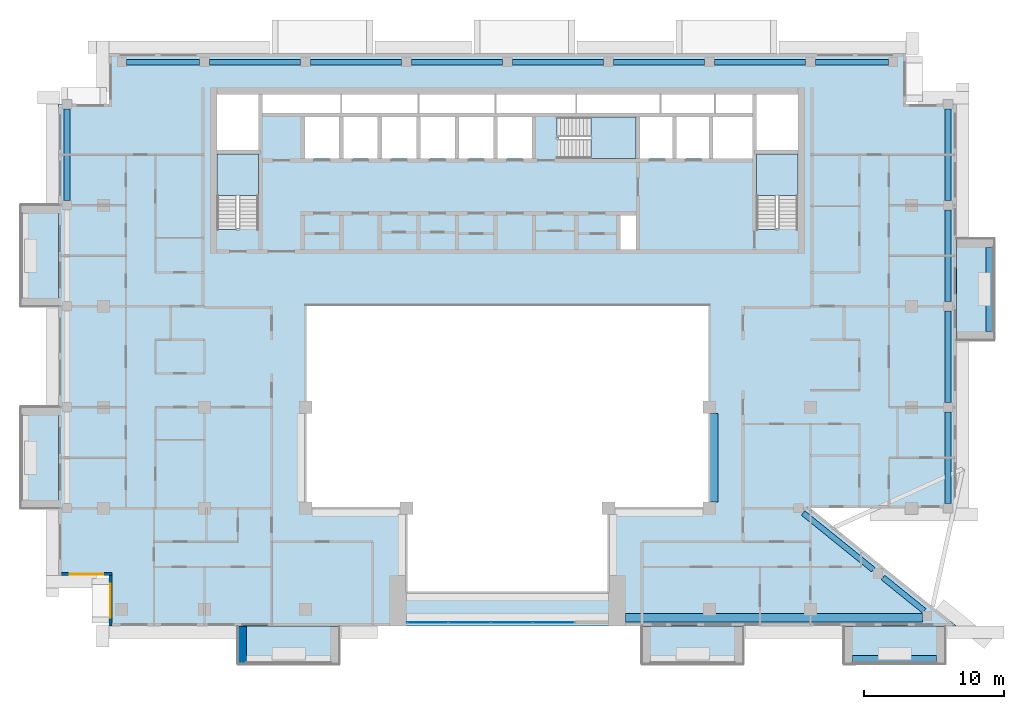
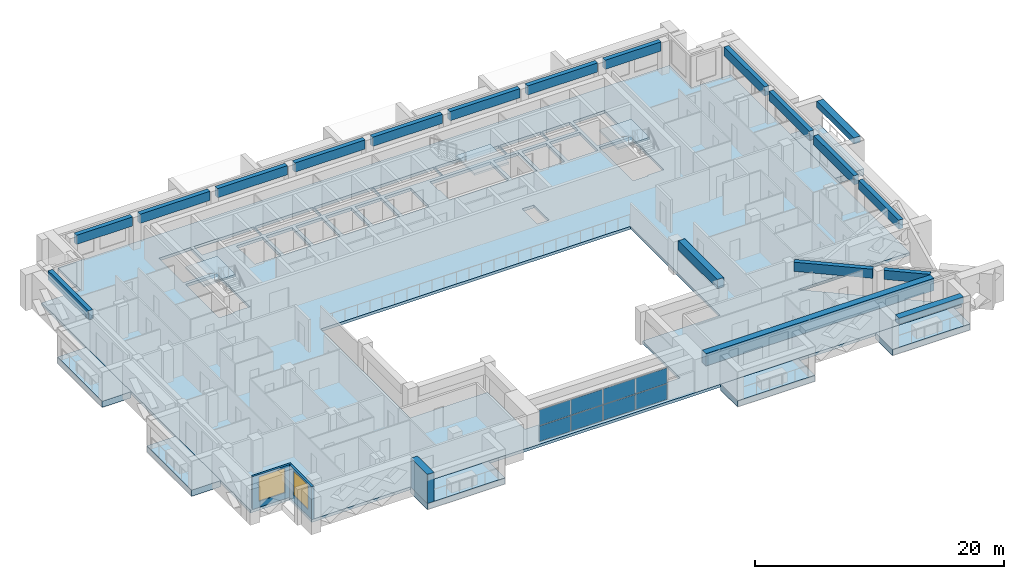
# One storey, part 5 of 19: 19 beams, 10 slabs, 8 plates, 3 walls, 2 windows, 2 openings, 4 elements without a shape of their own.
"""IFC4 building model written with IfcOpenShell, lengths in metres."""

from ifc_helpers import new_model, si_unit, direction, frame, frame_2d, origin, origin_2d, place, context, subcontext, project, spatial, polyline, rectangle, outline, extrude, source, transform, mapped, material, layer, layer_set, material_profile, profile_set, type_object, element, fill, aggregate, save


model = new_model("IFC4")

# Units and contexts
model_context = context("Model", 3, precision=1e-05, world=origin(), true_north=direction((0.0, 1.0)))
body_context = subcontext(model_context, "Body", "Model", "MODEL_VIEW")
ifc_project = project(units=[si_unit("LENGTHUNIT", "METRE"), si_unit("AREAUNIT", "SQUARE_METRE"), si_unit("VOLUMEUNIT", "CUBIC_METRE"), si_unit("PLANEANGLEUNIT", "RADIAN"), si_unit("MASSUNIT", "GRAM", prefix="KILO")], contexts=[model_context])

# Site, building, storey
site_placement = place(None, origin())
site = spatial("IfcSite", under=ifc_project, at=site_placement, CompositionType="ELEMENT")
building_placement = place(site_placement, origin())
building = spatial("IfcBuilding", under=site, at=building_placement, Name="Saffron Iwan Residences", CompositionType="ELEMENT")
storey_placement = place(building_placement, frame((0.0, 0.0, 225.5)))
storey = spatial("IfcBuildingStorey", under=building, at=storey_placement, Name="L60", CompositionType="ELEMENT", Elevation=225.5)

# Beams
ifc_material_1 = material(Name="Concrete C40/50", Category="concrete")
ifc_material_profile_1 = material_profile(ifc_material_1, rectangle(XDim=0.39990234375, YDim=0.89990234375, at=origin_2d()), Name="RC 400x900")
ifc_profile_set_1 = profile_set([ifc_material_profile_1], Name="Concrete C40/50")
beam_type_1 = type_object("IfcBeamType", Name="SPANDREL BEAM RC 400x900 C40/50 TOP 3220", PredefinedType="SPANDREL", material=ifc_profile_set_1)
shared_shape_1 = source(origin(), body_context, "Body", "SweptSolid", [
    extrude(rectangle(XDim=0.39990234375, YDim=0.89990234375, at=origin_2d()), origin(), (0.0, 0.0, 1.0), 3.767578125),
])
beam_1_placement = place(storey_placement, frame((77.173095703125, 43.050537109375, 2.77001953125), z_axis=(0.777920469401, -0.62836274817, 0.0), x_axis=(0.62836274817, 0.777920469401, 0.0)))
element("IfcBeam", 1, at=beam_1_placement, inside=storey, type_object=beam_type_1, Name="Spandrel beam", PredefinedType="SPANDREL", context=body_context, shape_type="MappedRepresentation", body=[
    mapped(shared_shape_1, transform((0.0, 0.0, 0.0))),
])
shared_shape_2 = source(origin(), body_context, "Body", "SweptSolid", [
    extrude(rectangle(XDim=0.39990234375, YDim=0.89990234375, at=origin_2d()), origin(), (0.0, 0.0, 1.0), 6.419921875),
])
beam_2_placement = place(storey_placement, frame((71.478515625, 47.64990234375, 2.77001953125), z_axis=(0.777940465262, -0.628337992253, 0.0), x_axis=(0.628337992253, 0.777940465262, 0.0)))
element("IfcBeam", 2, at=beam_2_placement, inside=storey, type_object=beam_type_1, Name="Spandrel beam", PredefinedType="SPANDREL", context=body_context, shape_type="MappedRepresentation", body=[
    mapped(shared_shape_2, transform((0.0, 0.0, 0.0))),
])
shared_shape_3 = source(origin(), body_context, "Body", "SweptSolid", [
    extrude(rectangle(XDim=0.39990234375, YDim=0.89990234375, at=origin_2d()), origin(), (0.0, 0.0, 1.0), 6.5),
])
for number, where, z_axis, x_axis, name in (
    (3, (81.800048828125, 54.85009765625, 2.77001953125), (0.0, -1.0, 0.0), (1.0, 0.0, 0.0), "Spandrel beam"),
    (4, (81.800048828125, 62.050048828125, 2.77001953125), (0.0, -1.0, 0.0), (1.0, 0.0, 0.0), "Spandrel beam"),
    (5, (81.800048828125, 69.25, 2.77001953125), (0.0, -1.0, 0.0), (1.0, 0.0, 0.0), "Spandrel beam"),
    (6, (19.0, 69.949951171875, 2.77001953125), (0.0, 1.0, 0.0), (-1.0, 0.0, 0.0), "Spandrel beam"),
    (7, (81.800048828125, 76.449951171875, 2.77001953125), (0.0, -1.0, 0.0), (1.0, 0.0, 0.0), "Spandrel beam"),
    (8, (29.14990234375, 79.800048828125, 2.77001953125), (1.0, 0.0, 0.0), (0.0, 1.0, 0.0), "Spandrel beam"),
    (9, (36.35009765625, 79.800048828125, 2.77001953125), (1.0, 0.0, 0.0), (0.0, 1.0, 0.0), "Spandrel beam"),
    (10, (43.550048828125, 79.800048828125, 2.77001953125), (1.0, 0.0, 0.0), (0.0, 1.0, 0.0), "Spandrel beam"),
    (11, (50.75, 79.800048828125, 2.77001953125), (1.0, 0.0, 0.0), (0.0, 1.0, 0.0), "Spandrel beam"),
    (12, (57.949951171875, 79.800048828125, 2.77001953125), (1.0, 0.0, 0.0), (0.0, 1.0, 0.0), "Spandrel beam"),
    (13, (65.14990234375, 79.800048828125, 2.77001953125), (1.0, 0.0, 0.0), (0.0, 1.0, 0.0), "Spandrel beam"),
):
    element("IfcBeam", number, at=place(storey_placement, frame(where, z_axis=z_axis, x_axis=x_axis)), inside=storey, type_object=beam_type_1, Name=name, PredefinedType="SPANDREL", context=body_context, shape_type="MappedRepresentation", body=[
        mapped(shared_shape_3, transform((0.0, 0.0, 0.0))),
    ])
shared_shape_4 = source(origin(), body_context, "Body", "SweptSolid", [
    extrude(rectangle(XDim=0.39990234375, YDim=0.89990234375, at=origin_2d()), origin(), (0.0, 0.0, 1.0), 5.199951171875),
])
for number, where, z_axis, x_axis, name in (
    (14, (23.25, 79.800048828125, 2.77001953125), (1.0, 0.0, 0.0), (0.0, 1.0, 0.0), "Spandrel beam"),
    (15, (72.35009765625, 79.800048828125, 2.77001953125), (1.0, 0.0, 0.0), (0.0, 1.0, 0.0), "Spandrel beam"),
):
    element("IfcBeam", number, at=place(storey_placement, frame(where, z_axis=z_axis, x_axis=x_axis)), inside=storey, type_object=beam_type_1, Name=name, PredefinedType="SPANDREL", context=body_context, shape_type="MappedRepresentation", body=[
        mapped(shared_shape_4, transform((0.0, 0.0, 0.0))),
    ])
ifc_material_profile_2 = material_profile(ifc_material_1, rectangle(XDim=0.60009765625, YDim=1.199951171875, at=origin_2d()), Name="RC 600x1200")
ifc_profile_set_2 = profile_set([ifc_material_profile_2], Name="Concrete C40/50")
beam_type_2 = type_object("IfcBeamType", Name="LINTEL BEAM RC 600x1200 C40/50 TOP 3220", PredefinedType="LINTEL", material=ifc_profile_set_2)
shared_shape_5 = source(origin(), body_context, "Body", "SweptSolid", [
    extrude(rectangle(XDim=0.60009765625, YDim=1.199951171875, at=origin_2d()), origin(), (0.0, 0.0, 1.0), 21.175537109375),
])
beam_3_placement = place(storey_placement, frame((79.9755859375, 40.199951171875, 2.6201171875), z_axis=(-1.0, 0.0, 0.0), x_axis=(0.0, -1.0, 0.0)))
element("IfcBeam", 16, at=beam_3_placement, inside=storey, type_object=beam_type_2, Name="Lintel beam over the iwan", PredefinedType="LINTEL", context=body_context, shape_type="MappedRepresentation", body=[
    mapped(shared_shape_5, transform((0.0, 0.0, 0.0))),
])
ifc_material_profile_3 = material_profile(ifc_material_1, rectangle(XDim=0.60009765625, YDim=0.89990234375, at=origin_2d()), Name="RC 600x900")
ifc_profile_set_3 = profile_set([ifc_material_profile_3], Name="Concrete C40/50")
beam_type_3 = type_object("IfcBeamType", Name="BEAM RC 600x900 C40/50 TOP 3220", PredefinedType="BEAM", material=ifc_profile_set_3)
shared_shape_6 = source(origin(), body_context, "Body", "SweptSolid", [
    extrude(rectangle(XDim=0.60009765625, YDim=0.89990234375, at=origin_2d()), origin(), (0.0, 0.0, 1.0), 6.300048828125),
])
beam_4_placement = place(storey_placement, frame((65.10009765625, 54.75, 2.77001953125), z_axis=(0.0, -1.0, 0.0), x_axis=(1.0, 0.0, 0.0)))
element("IfcBeam", 17, at=beam_4_placement, inside=storey, type_object=beam_type_3, Name="Atrium edge beam", PredefinedType="BEAM", context=body_context, shape_type="MappedRepresentation", body=[
    mapped(shared_shape_6, transform((0.0, 0.0, 0.0))),
])
ifc_material_2 = material(Name="Concrete C50/60 white painted", Category="concrete")
ifc_material_profile_4 = material_profile(ifc_material_2, rectangle(XDim=0.60009765625, YDim=0.60009765625, at=origin_2d()), Name="BALCONY FASCIA BEAM 600 x 600")
ifc_profile_set_4 = profile_set([ifc_material_profile_4], Name="Concrete C50/60 white painted")
beam_type_4 = type_object("IfcBeamType", Name="BALCONY FASCIA BEAM 600 x 600", PredefinedType="BEAM", material=ifc_profile_set_4)
shared_shape_7 = source(origin(), body_context, "Body", "SweptSolid", [
    extrude(rectangle(XDim=0.60009765625, YDim=0.60009765625, at=origin_2d()), origin(), (0.0, 0.0, 1.0), 6.0),
])
for number, where, z_axis, x_axis, name in (
    (18, (84.800048828125, 60.60009765625, 2.550048828125), (0.0, 1.0, 0.0), (-1.0, 0.0, 0.0), "Balcony fascia beam L60 F2-0"),
    (19, (75.0, 37.199951171875, 2.550048828125), (1.0, 0.0, 0.0), (0.0, 1.0, 0.0), "Balcony fascia beam L60 11-2"),
):
    element("IfcBeam", number, at=place(storey_placement, frame(where, z_axis=z_axis, x_axis=x_axis)), inside=storey, type_object=beam_type_4, Name=name, PredefinedType="BEAM", context=body_context, shape_type="MappedRepresentation", body=[
        mapped(shared_shape_7, transform((0.0, 0.0, 0.0))),
    ])

# Slabs
ifc_layer_1 = layer(ifc_material_2, 0.60009765625)
ifc_layer_set_1 = layer_set([ifc_layer_1], Name="Concrete C50/60 white painted")
slab_type_1 = type_object("IfcSlabType", Name="BALCONY FRAME SLAB 600", PredefinedType="FLOOR", material=ifc_layer_set_1)
slab_1_placement = place(storey_placement, frame((0.0, 0.0, -0.60009765625)))
element("IfcSlab", 20, at=slab_1_placement, inside=storey, type_object=slab_type_1, Name="Balcony frame slab L60 F2-0", PredefinedType="FLOOR", context=body_context, shape_type="SweptSolid", body=[
    extrude(outline(polyline([(85.10009765625, 60.0), (85.10009765625, 67.199951171875), (82.39990234375, 67.199951171875), (82.39990234375, 60.0), (85.10009765625, 60.0)])), origin(), (0.0, 0.0, 1.0), 0.60009765625),
])
slab_2_placement = place(storey_placement, frame((0.0, 0.0, -0.60009765625)))
element("IfcSlab", 21, at=slab_2_placement, inside=storey, type_object=slab_type_1, Name="Balcony frame slab L60 F8-0", PredefinedType="FLOOR", context=body_context, shape_type="SweptSolid", body=[
    extrude(outline(polyline([(15.699951171875, 69.60009765625), (15.699951171875, 62.39990234375), (18.39990234375, 62.39990234375), (18.39990234375, 69.60009765625), (15.699951171875, 69.60009765625)])), origin(), (0.0, 0.0, 1.0), 0.60009765625),
])
slab_3_placement = place(storey_placement, frame((0.0, 0.0, -0.60009765625)))
element("IfcSlab", 22, at=slab_3_placement, inside=storey, type_object=slab_type_1, Name="Balcony frame slab L60 F8-1", PredefinedType="FLOOR", context=body_context, shape_type="SweptSolid", body=[
    extrude(outline(polyline([(15.699951171875, 55.199951171875), (15.699951171875, 48.0), (18.39990234375, 48.0), (18.39990234375, 55.199951171875), (15.699951171875, 55.199951171875)])), origin(), (0.0, 0.0, 1.0), 0.60009765625),
])
slab_4_placement = place(storey_placement, frame((0.0, 0.0, -0.60009765625)))
element("IfcSlab", 23, at=slab_4_placement, inside=storey, type_object=slab_type_1, Name="Balcony frame slab L60 11-0", PredefinedType="FLOOR", context=body_context, shape_type="SweptSolid", body=[
    extrude(outline(polyline([(31.199951171875, 36.89990234375), (38.39990234375, 36.89990234375), (38.39990234375, 39.60009765625), (31.199951171875, 39.60009765625), (31.199951171875, 36.89990234375)])), origin(), (0.0, 0.0, 1.0), 0.60009765625),
])
slab_5_placement = place(storey_placement, frame((0.0, 0.0, -0.60009765625)))
element("IfcSlab", 24, at=slab_5_placement, inside=storey, type_object=slab_type_1, Name="Balcony frame slab L60 11-1", PredefinedType="FLOOR", context=body_context, shape_type="SweptSolid", body=[
    extrude(outline(polyline([(60.0, 36.89990234375), (67.199951171875, 36.89990234375), (67.199951171875, 39.60009765625), (60.0, 39.60009765625), (60.0, 36.89990234375)])), origin(), (0.0, 0.0, 1.0), 0.60009765625),
])
slab_6_placement = place(storey_placement, frame((0.0, 0.0, -0.60009765625)))
element("IfcSlab", 25, at=slab_6_placement, inside=storey, type_object=slab_type_1, Name="Balcony frame slab L60 11-2", PredefinedType="FLOOR", context=body_context, shape_type="SweptSolid", body=[
    extrude(outline(polyline([(74.39990234375, 36.89990234375), (81.60009765625, 36.89990234375), (81.60009765625, 39.60009765625), (74.39990234375, 39.60009765625), (74.39990234375, 36.89990234375)])), origin(), (0.0, 0.0, 1.0), 0.60009765625),
])
ifc_layer_2 = layer(ifc_material_1, 0.280029296875)
ifc_layer_set_2 = layer_set([ifc_layer_2], Name="Concrete C40/50")
slab_type_2 = type_object("IfcSlabType", Name="PT PLATE 280 C40/50", PredefinedType="FLOOR", material=ifc_layer_set_2)
slab_7_placement = place(storey_placement, frame((0.0, 0.0, -0.280029296875)))
element("IfcSlab", 26, at=slab_7_placement, inside=storey, type_object=slab_type_2, Name="Floor slab L60", PredefinedType="FLOOR", context=body_context, shape_type="SweptSolid", body=[
    extrude(outline(polyline([(18.39990234375, 43.199951171875), (18.39990234375, 76.800048828125), (22.0, 76.800048828125), (22.0, 80.39990234375), (78.800048828125, 80.39990234375), (78.800048828125, 76.800048828125), (82.39990234375, 76.800048828125), (82.39990234375, 48.0), (72.0, 48.0), (82.39990234375, 39.60009765625), (22.0, 39.60009765625), (22.0, 43.199951171875), (18.39990234375, 43.199951171875)]), holes=[polyline([(64.800048828125, 48.0), (64.800048828125, 62.39990234375), (36.0, 62.39990234375), (36.0, 48.0), (43.199951171875, 48.0), (43.199951171875, 42.0), (57.60009765625, 42.0), (57.60009765625, 48.0), (64.800048828125, 48.0)]), polyline([(29.699951171875, 73.25), (29.699951171875, 67.949951171875), (29.699951171875, 67.8505859375), (31.10009765625, 67.8505859375), (31.10009765625, 67.949951171875), (32.64990234375, 67.949951171875), (32.64990234375, 73.25), (29.699951171875, 73.25)]), polyline([(38.39990234375, 75.875), (35.949951171875, 75.875), (35.949951171875, 72.925048828125), (38.39990234375, 72.925048828125), (38.39990234375, 75.875)]), polyline([(41.14990234375, 75.875), (38.699951171875, 75.875), (38.699951171875, 72.925048828125), (41.14990234375, 72.925048828125), (41.14990234375, 75.875)]), polyline([(43.89990234375, 72.925048828125), (43.89990234375, 75.875), (41.449951171875, 75.875), (41.449951171875, 72.925048828125), (43.89990234375, 72.925048828125)]), polyline([(46.64990234375, 72.925048828125), (46.64990234375, 75.875), (44.199951171875, 75.875), (44.199951171875, 72.925048828125), (46.64990234375, 72.925048828125)]), polyline([(49.39990234375, 75.875), (46.949951171875, 75.875), (46.949951171875, 72.925048828125), (49.39990234375, 72.925048828125), (49.39990234375, 75.875)]), polyline([(52.14990234375, 72.925048828125), (52.14990234375, 75.875), (49.699951171875, 75.875), (49.699951171875, 72.925048828125), (52.14990234375, 72.925048828125)]), polyline([(32.64990234375, 73.550048828125), (32.64990234375, 77.5), (29.699951171875, 77.5), (29.699951171875, 73.550048828125), (32.64990234375, 73.550048828125)]), polyline([(38.5, 77.5), (32.949951171875, 77.5), (32.949951171875, 76.175048828125), (38.5, 76.175048828125), (38.5, 77.5)]), polyline([(44.0, 76.175048828125), (44.0, 77.5), (38.60009765625, 77.5), (38.60009765625, 76.175048828125), (44.0, 76.175048828125)]), polyline([(49.5, 76.175048828125), (49.5, 77.5), (44.10009765625, 77.5), (44.10009765625, 76.175048828125), (49.5, 76.175048828125)]), polyline([(59.550048828125, 68.875), (58.449951171875, 68.875), (58.449951171875, 66.449951171875), (59.550048828125, 66.449951171875), (59.550048828125, 68.875)]), polyline([(68.14990234375, 73.25), (68.14990234375, 67.949951171875), (68.14990234375, 67.8505859375), (69.550048828125, 67.8505859375), (69.550048828125, 67.949951171875), (71.10009765625, 67.949951171875), (71.10009765625, 73.25), (68.14990234375, 73.25)]), polyline([(54.02490234375, 74.47509765625), (54.02490234375, 72.925048828125), (59.550048828125, 72.925048828125), (59.550048828125, 75.875), (54.02490234375, 75.875), (53.925537109375, 75.875), (53.925537109375, 74.47509765625), (54.02490234375, 74.47509765625)]), polyline([(62.14990234375, 72.925048828125), (62.14990234375, 75.875), (59.85009765625, 75.875), (59.85009765625, 72.925048828125), (62.14990234375, 72.925048828125)]), polyline([(64.75, 72.925048828125), (64.75, 75.875), (62.449951171875, 75.875), (62.449951171875, 72.925048828125), (64.75, 72.925048828125)]), polyline([(67.85009765625, 75.875), (65.050048828125, 75.875), (65.050048828125, 72.925048828125), (67.85009765625, 72.925048828125), (67.85009765625, 75.875)]), polyline([(71.10009765625, 73.550048828125), (71.10009765625, 77.5), (68.14990234375, 77.5), (68.14990234375, 73.550048828125), (71.10009765625, 73.550048828125)]), polyline([(55.25, 76.175048828125), (55.25, 77.5), (49.60009765625, 77.5), (49.60009765625, 76.175048828125), (55.25, 76.175048828125)]), polyline([(61.25, 77.5), (55.35009765625, 77.5), (55.35009765625, 76.175048828125), (61.25, 76.175048828125), (61.25, 77.5)]), polyline([(65.14990234375, 76.175048828125), (65.14990234375, 77.5), (61.35009765625, 77.5), (61.35009765625, 76.175048828125), (65.14990234375, 76.175048828125)]), polyline([(67.85009765625, 76.175048828125), (67.85009765625, 77.5), (65.25, 77.5), (65.25, 76.175048828125), (67.85009765625, 76.175048828125)])]), origin(), (0.0, 0.0, 1.0), 0.280029296875),
])

# Stair, slab
ifc_material_3 = material(Name="Concrete C50/60", Category="concrete")
stair_type = type_object("IfcStairType", Name="Stair ST-CORE", PredefinedType="HALF_TURN_STAIR", material=ifc_material_3)
stair_1_placement = place(storey_placement, origin())
stair_1 = element("IfcStair", 27, at=stair_1_placement, inside=storey, type_object=stair_type, Name="L60 Exit Stair ST-W", PredefinedType="HALF_TURN_STAIR")
ifc_layer_3 = layer(ifc_material_3, 0.199951171875)
ifc_layer_set_3 = layer_set([ifc_layer_3], Name="Concrete C50/60")
slab_type_3 = type_object("IfcSlabType", Name="Stair landing SL-RC", PredefinedType="LANDING", material=ifc_layer_set_3)
slab_8_placement = place(storey_placement, frame((0.0, 0.0, 1.5498046875)))
slab_8 = element("IfcSlab", 28, at=slab_8_placement, type_object=slab_type_3, Name="ST-W landing 1", PredefinedType="LANDING", context=body_context, shape_type="SweptSolid", body=[
    extrude(outline(polyline([(32.64990234375, 70.280029296875), (32.64990234375, 73.25), (29.699951171875, 73.25), (29.699951171875, 70.280029296875), (32.64990234375, 70.280029296875)])), origin(), (0.0, 0.0, 1.0), 0.2001953125),
])
aggregate(stair_1, [slab_8])

stair_2_placement = place(storey_placement, origin())
stair_2 = element("IfcStair", 29, at=stair_2_placement, inside=storey, type_object=stair_type, Name="L60 Exit Stair ST-C", PredefinedType="HALF_TURN_STAIR")
slab_9_placement = place(storey_placement, frame((0.0, 0.0, 1.5498046875)))
slab_9 = element("IfcSlab", 30, at=slab_9_placement, type_object=slab_type_3, Name="ST-C landing 1", PredefinedType="LANDING", context=body_context, shape_type="SweptSolid", body=[
    extrude(outline(polyline([(56.35498046875, 72.925048828125), (59.550048828125, 72.925048828125), (59.550048828125, 75.875), (56.35498046875, 75.875), (56.35498046875, 72.925048828125)])), origin(), (0.0, 0.0, 1.0), 0.2001953125),
])
aggregate(stair_2, [slab_9])

stair_3_placement = place(storey_placement, origin())
stair_3 = element("IfcStair", 31, at=stair_3_placement, inside=storey, type_object=stair_type, Name="L60 Exit Stair ST-E", PredefinedType="HALF_TURN_STAIR")
slab_10_placement = place(storey_placement, frame((0.0, 0.0, 1.5498046875)))
slab_10 = element("IfcSlab", 32, at=slab_10_placement, type_object=slab_type_3, Name="ST-E landing 1", PredefinedType="LANDING", context=body_context, shape_type="SweptSolid", body=[
    extrude(outline(polyline([(71.10009765625, 70.280029296875), (71.10009765625, 73.25), (68.14990234375, 73.25), (68.14990234375, 70.280029296875), (71.10009765625, 70.280029296875)])), origin(), (0.0, 0.0, 1.0), 0.2001953125),
])
aggregate(stair_3, [slab_10])

# Curtain wall, plates
ifc_material_4 = material(Name="Clear glass, laminated double glazed", Category="glass")
ifc_layer_4 = layer(ifc_material_4, 0.199951171875)
ifc_layer_set_4 = layer_set([ifc_layer_4], Name="Clear glass, laminated double glazed")
curtain_wall_type = type_object("IfcCurtainWallType", Name="CW-B IWAN PORTAL", PredefinedType="NOTDEFINED", material=ifc_layer_set_4)
curtain_wall_placement = place(storey_placement, origin())
curtain_wall = element("IfcCurtainWall", 33, at=curtain_wall_placement, inside=storey, type_object=curtain_wall_type, Name="Iwan portal glazing L60.1", PredefinedType="NOTDEFINED")
ifc_layer_5 = layer(ifc_material_4, 0.028076171875)
ifc_layer_set_5 = layer_set([ifc_layer_5], Name="Clear glass, laminated double glazed")
plate_type = type_object("IfcPlateType", Name="CW-B PANEL 28", PredefinedType="CURTAIN_PANEL", material=ifc_layer_set_5)
shared_shape_8 = source(origin(), body_context, "Body", "SweptSolid", [
    extrude(rectangle(XDim=2.909912109375, YDim=0.028076171875, at=origin_2d()), origin(), (0.0, 0.0, 1.0), 1.52001953125),
])
plate_1_placement = place(storey_placement, frame((44.715087890625, 39.85009765625, 0.06005859375), z_axis=(0.0, 0.0, 1.0), x_axis=(1.0, 0.0, 0.0)))
plate_1 = element("IfcPlate", 34, at=plate_1_placement, type_object=plate_type, Name="CW-B panel 1.1", PredefinedType="CURTAIN_PANEL", context=body_context, shape_type="MappedRepresentation", body=[
    mapped(shared_shape_8, transform((0.0, 0.0, 0.0))),
])
plate_2_placement = place(storey_placement, frame((44.715087890625, 39.85009765625, 1.639892578125), z_axis=(0.0, 0.0, 1.0), x_axis=(1.0, 0.0, 0.0)))
plate_2 = element("IfcPlate", 35, at=plate_2_placement, type_object=plate_type, Name="CW-B panel 1.2", PredefinedType="CURTAIN_PANEL", context=body_context, shape_type="MappedRepresentation", body=[
    mapped(shared_shape_8, transform((0.0, 0.0, 0.0))),
])
plate_3_placement = place(storey_placement, frame((53.68505859375, 39.85009765625, 0.06005859375), z_axis=(0.0, 0.0, 1.0), x_axis=(1.0, 0.0, 0.0)))
plate_3 = element("IfcPlate", 36, at=plate_3_placement, type_object=plate_type, Name="CW-B panel 4.1", PredefinedType="CURTAIN_PANEL", context=body_context, shape_type="MappedRepresentation", body=[
    mapped(shared_shape_8, transform((0.0, 0.0, 0.0))),
])
plate_4_placement = place(storey_placement, frame((53.68505859375, 39.85009765625, 1.639892578125), z_axis=(0.0, 0.0, 1.0), x_axis=(1.0, 0.0, 0.0)))
plate_4 = element("IfcPlate", 37, at=plate_4_placement, type_object=plate_type, Name="CW-B panel 4.2", PredefinedType="CURTAIN_PANEL", context=body_context, shape_type="MappedRepresentation", body=[
    mapped(shared_shape_8, transform((0.0, 0.0, 0.0))),
])
shared_shape_9 = source(origin(), body_context, "Body", "SweptSolid", [
    extrude(rectangle(XDim=2.93994140625, YDim=0.028076171875, at=origin_2d()), origin(), (0.0, 0.0, 1.0), 1.52001953125),
])
plate_5_placement = place(storey_placement, frame((47.699951171875, 39.85009765625, 0.06005859375), z_axis=(0.0, 0.0, 1.0), x_axis=(1.0, 0.0, 0.0)))
plate_5 = element("IfcPlate", 38, at=plate_5_placement, type_object=plate_type, Name="CW-B panel 2.1", PredefinedType="CURTAIN_PANEL", context=body_context, shape_type="MappedRepresentation", body=[
    mapped(shared_shape_9, transform((0.0, 0.0, 0.0))),
])
plate_6_placement = place(storey_placement, frame((47.699951171875, 39.85009765625, 1.639892578125), z_axis=(0.0, 0.0, 1.0), x_axis=(1.0, 0.0, 0.0)))
plate_6 = element("IfcPlate", 39, at=plate_6_placement, type_object=plate_type, Name="CW-B panel 2.2", PredefinedType="CURTAIN_PANEL", context=body_context, shape_type="MappedRepresentation", body=[
    mapped(shared_shape_9, transform((0.0, 0.0, 0.0))),
])
plate_7_placement = place(storey_placement, frame((50.699951171875, 39.85009765625, 0.06005859375), z_axis=(0.0, 0.0, 1.0), x_axis=(1.0, 0.0, 0.0)))
plate_7 = element("IfcPlate", 40, at=plate_7_placement, type_object=plate_type, Name="CW-B panel 3.1", PredefinedType="CURTAIN_PANEL", context=body_context, shape_type="MappedRepresentation", body=[
    mapped(shared_shape_9, transform((0.0, 0.0, 0.0))),
])
plate_8_placement = place(storey_placement, frame((50.699951171875, 39.85009765625, 1.639892578125), z_axis=(0.0, 0.0, 1.0), x_axis=(1.0, 0.0, 0.0)))
plate_8 = element("IfcPlate", 41, at=plate_8_placement, type_object=plate_type, Name="CW-B panel 3.2", PredefinedType="CURTAIN_PANEL", context=body_context, shape_type="MappedRepresentation", body=[
    mapped(shared_shape_9, transform((0.0, 0.0, 0.0))),
])
aggregate(curtain_wall, [plate_1, plate_2, plate_5, plate_6, plate_7, plate_8, plate_3, plate_4])

# Wall
ifc_layer_6 = layer(ifc_material_2, 0.60009765625)
ifc_layer_set_6 = layer_set([ifc_layer_6], Name="Concrete C50/60 white painted")
wall_type_1 = type_object("IfcWallType", Name="BALCONY FIN 600", PredefinedType="SOLIDWALL", material=ifc_layer_set_6)
wall_1_placement = place(storey_placement, frame((31.5, 39.550048828125, 0.0), z_axis=(0.0, 0.0, 1.0), x_axis=(0.0, -1.0, 0.0)))
element("IfcWall", 42, at=wall_1_placement, inside=storey, type_object=wall_type_1, Name="Balcony fin L60 11-0a", PredefinedType="SOLIDWALL", context=body_context, shape_type="SweptSolid", body=[
    extrude(rectangle(XDim=2.650146484375, YDim=0.60009765625, at=frame_2d((1.3251953125, 0.0))), origin(), (0.0, 0.0, 1.0), 2.85009765625),
])

# Wall, opening, window
ifc_layer_7 = layer(ifc_material_1, 0.199951171875)
ifc_layer_set_7 = layer_set([ifc_layer_7], Name="Concrete C40/50")
wall_type_2 = type_object("IfcWallType", Name="EXTERNAL WALL 200", PredefinedType="SOLIDWALL", material=ifc_layer_set_7)
wall_2_placement = place(storey_placement, frame((18.60009765625, 43.300048828125, 0.0), z_axis=(0.0, 0.0, 1.0), x_axis=(1.0, 0.0, 0.0)))
wall_2 = element("IfcWall", 43, at=wall_2_placement, inside=storey, type_object=wall_type_2, Name="External wall L60 F9.0", PredefinedType="SOLIDWALL", context=body_context, shape_type="SweptSolid", body=[
    extrude(rectangle(XDim=3.599853515625, YDim=0.199951171875, at=frame_2d((1.7998046875, 0.0))), origin(), (0.0, 0.0, 1.0), 3.219970703125),
])
opening_1_placement = place(wall_2_placement, frame((0.60009765625, 0.0, 0.60009765625)))
opening_1 = element("IfcOpeningElement", 44, at=opening_1_placement, cuts=wall_2, Name="Opening W1", PredefinedType="OPENING", context=body_context, shape_type="SweptSolid", body=[
    extrude(rectangle(XDim=2.39990234375, YDim=2.39990234375, at=frame_2d((1.199951171875, 1.199951171875))), frame((0.0, 0.10986328125, 0.0), z_axis=(0.0, -1.0, 0.0), x_axis=(1.0, 0.0, 0.0)), (0.0, 0.0, 1.0), 0.219970703125),
])
window_type = type_object("IfcWindowType", Name="WINDOW 2400 x 2400", PartitioningType="DOUBLE_PANEL_VERTICAL", PredefinedType="WINDOW", material=ifc_material_4)
window_1_placement = place(opening_1_placement, origin())
window_1 = element("IfcWindow", 45, at=window_1_placement, inside=storey, type_object=window_type, Name="Window L60 F9.0", OverallHeight=2.39990234375, OverallWidth=2.39990234375, PartitioningType="DOUBLE_PANEL_VERTICAL", PredefinedType="WINDOW", context=body_context, shape_type="SweptSolid", body=[
    extrude(rectangle(XDim=2.39990234375, YDim=2.39990234375, at=frame_2d((1.199951171875, 1.199951171875))), frame((0.0, 0.030029296875, 0.0), z_axis=(0.0, -1.0, 0.0), x_axis=(1.0, 0.0, 0.0)), (0.0, 0.0, 1.0), 0.06005859375),
])
fill(opening_1, window_1)

wall_3_placement = place(storey_placement, frame((22.10009765625, 43.199951171875, 0.0), z_axis=(0.0, 0.0, 1.0), x_axis=(0.0, -1.0, 0.0)))
wall_3 = element("IfcWall", 46, at=wall_3_placement, inside=storey, type_object=wall_type_2, Name="External wall L60 F10.0", PredefinedType="SOLIDWALL", context=body_context, shape_type="SweptSolid", body=[
    extrude(rectangle(XDim=3.599853515625, YDim=0.199951171875, at=frame_2d((1.7998046875, 0.0))), origin(), (0.0, 0.0, 1.0), 3.219970703125),
])
opening_2_placement = place(wall_3_placement, frame((0.60009765625, 0.0, 0.60009765625)))
opening_2 = element("IfcOpeningElement", 47, at=opening_2_placement, cuts=wall_3, Name="Opening W1", PredefinedType="OPENING", context=body_context, shape_type="SweptSolid", body=[
    extrude(rectangle(XDim=2.39990234375, YDim=2.39990234375, at=frame_2d((1.199951171875, 1.199951171875))), frame((0.0, 0.10986328125, 0.0), z_axis=(0.0, -1.0, 0.0), x_axis=(1.0, 0.0, 0.0)), (0.0, 0.0, 1.0), 0.219970703125),
])
window_2_placement = place(opening_2_placement, origin())
window_2 = element("IfcWindow", 48, at=window_2_placement, inside=storey, type_object=window_type, Name="Window L60 F10.0", OverallHeight=2.39990234375, OverallWidth=2.39990234375, PartitioningType="DOUBLE_PANEL_VERTICAL", PredefinedType="WINDOW", context=body_context, shape_type="SweptSolid", body=[
    extrude(rectangle(XDim=2.39990234375, YDim=2.39990234375, at=frame_2d((1.199951171875, 1.199951171875))), frame((0.0, 0.030029296875, 0.0), z_axis=(0.0, -1.0, 0.0), x_axis=(1.0, 0.0, 0.0)), (0.0, 0.0, 1.0), 0.06005859375),
])
fill(opening_2, window_2)

save(model, "model.ifc")
